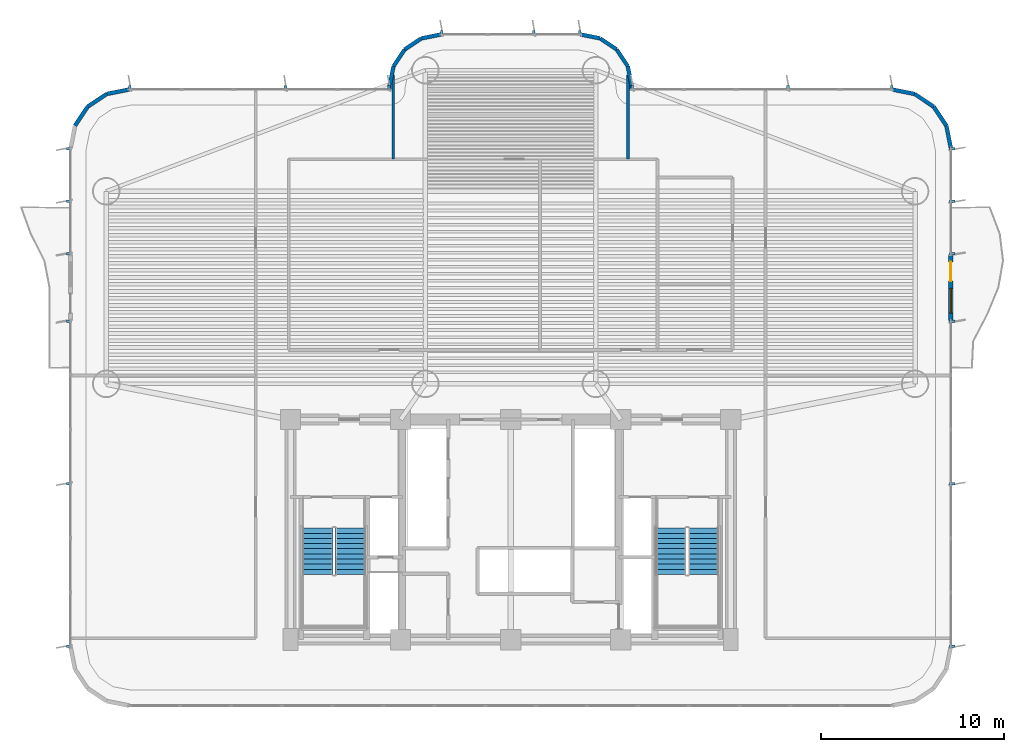
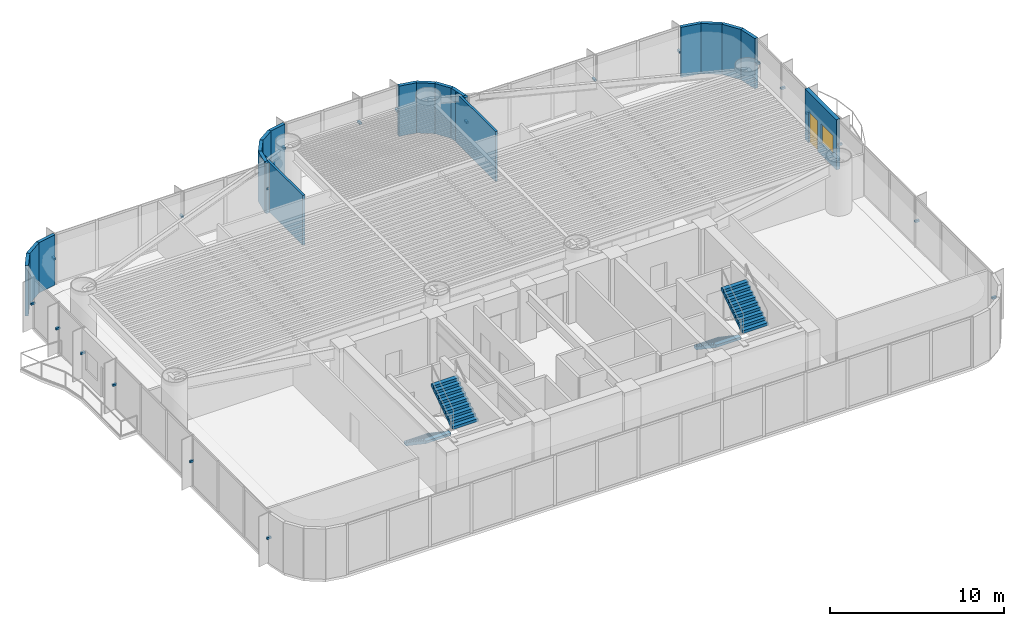
# One storey, part 12 of 16: 21 discrete accessories, 20 walls, 4 stair flights, 1 door, 1 window, 2 openings, 2 elements without a shape of their own.
"""IFC4 building model written with IfcOpenShell, lengths in metres."""

from ifc_helpers import new_model, si_unit, direction, frame, frame_2d, origin, origin_2d, place, context, subcontext, project, spatial, polyline, rectangle, outline, extrude, source, transform, mapped, material, layer, layer_set, type_object, element, fill, aggregate, save


model = new_model("IFC4")

# Units and contexts
model_context = context("Model", 3, precision=1e-05, world=origin(), true_north=direction((0.0, 1.0)))
body_context = subcontext(model_context, "Body", "Model", "MODEL_VIEW")
ifc_project = project(units=[si_unit("LENGTHUNIT", "METRE"), si_unit("AREAUNIT", "SQUARE_METRE"), si_unit("VOLUMEUNIT", "CUBIC_METRE"), si_unit("PLANEANGLEUNIT", "RADIAN"), si_unit("MASSUNIT", "GRAM", prefix="KILO")], contexts=[model_context])

# Site, building, storey
site_placement = place(None, origin())
site = spatial("IfcSite", under=ifc_project, at=site_placement, CompositionType="ELEMENT")
building_placement = place(site_placement, origin())
building = spatial("IfcBuilding", under=site, at=building_placement, Name="Brelvock Crest Care Tower", CompositionType="ELEMENT")
storey_placement = place(building_placement, frame((0.0, 0.0, 61.02001953125)))
storey = spatial("IfcBuildingStorey", under=building, at=storey_placement, Name="L15", CompositionType="ELEMENT", Elevation=61.02001953125)

# Wall, openings, door, window
ifc_material_1 = material(Name="Precast concrete N40 (40 MPa)", Category="concrete")
ifc_layer_1 = layer(ifc_material_1, 0.239990234375, Name="WL-EX1")
ifc_layer_set_1 = layer_set([ifc_layer_1], Name="Precast concrete N40 (40 MPa)")
wall_type_1 = type_object("IfcWallType", Name="WL-EX1", PredefinedType="SOLIDWALL", material=ifc_layer_set_1)
wall_1_placement = place(storey_placement, frame((60.0, 27.0, 0.0), z_axis=(0.0, 0.0, 1.0), x_axis=(0.0, -1.0, 0.0)))
wall_1 = element("IfcWall", 1, at=wall_1_placement, inside=storey, type_object=wall_type_1, Name="L15 Exterior Spandrel Wall WL-BAL-L15-E", PredefinedType="SOLIDWALL", context=body_context, shape_type="SweptSolid", body=[
    extrude(rectangle(XDim=3.60009765625, YDim=0.239990234375, at=frame_2d((1.800048828125, 0.0))), origin(), (0.0, 0.0, 1.0), 3.530029296875),
])
opening_1_placement = place(wall_1_placement, frame((0.39990234375, 0.0, 0.0)))
opening_1 = element("IfcOpeningElement", 2, at=opening_1_placement, cuts=wall_1, Name="Opening BD-1", PredefinedType="OPENING", context=body_context, shape_type="SweptSolid", body=[
    extrude(rectangle(XDim=1.050048828125, YDim=2.14990234375, at=origin_2d()), frame((0.52490234375, 0.1298828125, 1.074951171875), z_axis=(0.0, -1.0, 0.0), x_axis=(1.0, 0.0, 0.0)), (0.0, 0.0, 1.0), 0.260009765625),
])
opening_2_placement = place(wall_1_placement, frame((1.85009765625, 0.0, 0.85009765625)))
opening_2 = element("IfcOpeningElement", 3, at=opening_2_placement, cuts=wall_1, Name="Opening W-01", PredefinedType="OPENING", context=body_context, shape_type="SweptSolid", body=[
    extrude(rectangle(XDim=1.35009765625, YDim=1.35009765625, at=origin_2d()), frame((0.675048828125, 0.1298828125, 0.675048828125), z_axis=(0.0, -1.0, 0.0), x_axis=(1.0, 0.0, 0.0)), (0.0, 0.0, 1.0), 0.260009765625),
])
ifc_material_2 = material(Name="Dark Glass Double Glazed Low-E", Category="glass")
door_type = type_object("IfcDoorType", Name="DR-BAL1", OperationType="NOTDEFINED", PredefinedType="DOOR", material=ifc_material_2)
shared_shape_1 = source(origin(), body_context, "Body", "SweptSolid", [
    extrude(rectangle(XDim=1.050048828125, YDim=2.14990234375, at=origin_2d()), frame((0.52490234375, 0.02490234375, 1.074951171875), z_axis=(0.0, -1.0, 0.0), x_axis=(1.0, 0.0, 0.0)), (0.0, 0.0, 1.0), 0.050048828125),
])
door_placement = place(opening_1_placement, origin())
door = element("IfcDoor", 4, at=door_placement, inside=storey, type_object=door_type, Name="L15 E Wave Balcony Glazed Door", OperationType="SINGLE_SWING_RIGHT", OverallHeight=2.14990234375, OverallWidth=1.050048828125, PredefinedType="DOOR", context=body_context, shape_type="MappedRepresentation", body=[
    mapped(shared_shape_1, transform((0.0, 0.0, 0.0), x_axis=(1.0, 0.0, 0.0), y_axis=(0.0, 1.0, 0.0), z_axis=(0.0, 0.0, 1.0), scale=1.0)),
])
fill(opening_1, door)
window_type = type_object("IfcWindowType", Name="WN-EX1", PartitioningType="SINGLE_PANEL", PredefinedType="WINDOW", material=ifc_material_2)
shared_shape_2 = source(origin(), body_context, "Body", "SweptSolid", [
    extrude(rectangle(XDim=1.35009765625, YDim=1.35009765625, at=origin_2d()), frame((0.675048828125, 0.030029296875, 0.675048828125), z_axis=(0.0, -1.0, 0.0), x_axis=(1.0, 0.0, 0.0)), (0.0, 0.0, 1.0), 0.06005859375),
])
window_placement = place(opening_2_placement, origin())
window = element("IfcWindow", 5, at=window_placement, inside=storey, type_object=window_type, Name="L15 E Suite Casement Window", OverallHeight=1.35009765625, OverallWidth=1.35009765625, PartitioningType="SINGLE_PANEL", PredefinedType="WINDOW", context=body_context, shape_type="MappedRepresentation", body=[
    mapped(shared_shape_2, transform((0.0, 0.0, 0.0), x_axis=(1.0, 0.0, 0.0), y_axis=(0.0, 1.0, 0.0), z_axis=(0.0, 0.0, 1.0), scale=1.0)),
])
fill(opening_2, window)

# Walls
ifc_layer_2 = layer(ifc_material_1, 0.215087890625, Name="WL-EX2")
ifc_layer_set_2 = layer_set([ifc_layer_2], Name="Precast concrete N40 (40 MPa)")
wall_type_2 = type_object("IfcWallType", Name="WL-EX2", PredefinedType="SOLIDWALL", material=ifc_layer_set_2)
for number, where, z_axis, x_axis, name in (
    (6, (58.024658203125, 35.75634765625, 0.0), (0.0, 0.0, 1.0), (0.831478245117, -0.555557312883, 0.0), "L15 Rounded Corner Wall 00"),
    (7, (59.062744140625, 35.062744140625, 0.0), (0.0, 0.0, 1.0), (0.555557312883, -0.831478245117, 0.0), "L15 Rounded Corner Wall 01"),
    (8, (59.75634765625, 34.024658203125, 0.0), (0.0, 0.0, 1.0), (0.195138390419, -0.980775717779, 0.0), "L15 Rounded Corner Wall 02"),
    (9, (12.24365234375, 34.024658203125, 0.0), (0.0, 0.0, 1.0), (0.555557312883, 0.831478245117, 0.0), "L15 Rounded Corner Wall 15"),
    (10, (12.937255859375, 35.062744140625, 0.0), (0.0, 0.0, 1.0), (0.831478245117, 0.555557312883, 0.0), "L15 Rounded Corner Wall 16"),
    (11, (13.975341796875, 35.75634765625, 0.0), (0.0, 0.0, 1.0), (0.980775717779, 0.195138390419, 0.0), "L15 Rounded Corner Wall 17"),
):
    element("IfcWall", number, at=place(storey_placement, frame(where, z_axis=z_axis, x_axis=x_axis)), inside=storey, type_object=wall_type_2, Name=name, PredefinedType="SOLIDWALL", context=body_context, shape_type="SweptSolid", body=[
        extrude(rectangle(XDim=1.24853515625, YDim=0.215087890625, at=frame_2d((0.624267578125, 0.0))), origin(), (0.0, 0.0, 1.0), 3.530029296875),
    ])
wall_2_placement = place(storey_placement, frame((29.39990234375, 36.0, 0.0), z_axis=(0.0, 0.0, 1.0), x_axis=(0.0, 1.0, 0.0)))
element("IfcWall", 12, at=wall_2_placement, inside=storey, type_object=wall_type_2, Name="L15 Rounded Corner Wall 19", PredefinedType="SOLIDWALL", context=body_context, shape_type="SweptSolid", body=[
    extrude(rectangle(XDim=0.199951171875, YDim=0.215087890625, at=frame_2d((0.10009765625, 0.0))), origin(), (0.0, 0.0, 1.0), 3.530029296875),
])
wall_3_placement = place(storey_placement, frame((29.39990234375, 36.199951171875, 0.0), z_axis=(0.0, 0.0, 1.0), x_axis=(0.195084651288, 0.980786408364, 0.0)))
element("IfcWall", 13, at=wall_3_placement, inside=storey, type_object=wall_type_2, Name="L15 Rounded Corner Wall 20", PredefinedType="SOLIDWALL", context=body_context, shape_type="SweptSolid", body=[
    extrude(rectangle(XDim=1.092529296875, YDim=0.215087890625, at=frame_2d((0.54638671875, 0.0))), origin(), (0.0, 0.0, 1.0), 3.530029296875),
])
wall_4_placement = place(storey_placement, frame((29.613037109375, 37.271484375, 0.0), z_axis=(0.0, 0.0, 1.0), x_axis=(0.555679482341, 0.831396603857, 0.0)))
element("IfcWall", 14, at=wall_4_placement, inside=storey, type_object=wall_type_2, Name="L15 Rounded Corner Wall 21", PredefinedType="SOLIDWALL", context=body_context, shape_type="SweptSolid", body=[
    extrude(rectangle(XDim=1.0927734375, YDim=0.215087890625, at=frame_2d((0.54638671875, 0.0))), origin(), (0.0, 0.0, 1.0), 3.530029296875),
])
wall_5_placement = place(storey_placement, frame((30.22021484375, 38.179931640625, 0.0), z_axis=(0.0, 0.0, 1.0), x_axis=(0.831430845238, 0.555628247651, 0.0)))
element("IfcWall", 15, at=wall_5_placement, inside=storey, type_object=wall_type_2, Name="L15 Rounded Corner Wall 22", PredefinedType="SOLIDWALL", context=body_context, shape_type="SweptSolid", body=[
    extrude(rectangle(XDim=1.09228515625, YDim=0.215087890625, at=frame_2d((0.546142578125, 0.0))), origin(), (0.0, 0.0, 1.0), 3.530029296875),
])
for number, where, z_axis, x_axis, name in (
    (16, (31.12841796875, 38.786865234375, 0.0), (0.0, 0.0, 1.0), (0.980786408364, 0.195084651288, 0.0), "L15 Rounded Corner Wall 23"),
    (17, (39.800048828125, 39.0, 0.0), (0.0, 0.0, 1.0), (0.980786408364, -0.195084651288, 0.0), "L15 Rounded Corner Wall 25"),
):
    element("IfcWall", number, at=place(storey_placement, frame(where, z_axis=z_axis, x_axis=x_axis)), inside=storey, type_object=wall_type_2, Name=name, PredefinedType="SOLIDWALL", context=body_context, shape_type="SweptSolid", body=[
        extrude(rectangle(XDim=1.092529296875, YDim=0.215087890625, at=frame_2d((0.54638671875, 0.0))), origin(), (0.0, 0.0, 1.0), 3.530029296875),
    ])
wall_6_placement = place(storey_placement, frame((40.87158203125, 38.786865234375, 0.0), z_axis=(0.0, 0.0, 1.0), x_axis=(0.831430845238, -0.555628247651, 0.0)))
element("IfcWall", 18, at=wall_6_placement, inside=storey, type_object=wall_type_2, Name="L15 Rounded Corner Wall 26", PredefinedType="SOLIDWALL", context=body_context, shape_type="SweptSolid", body=[
    extrude(rectangle(XDim=1.09228515625, YDim=0.215087890625, at=frame_2d((0.546142578125, 0.0))), origin(), (0.0, 0.0, 1.0), 3.530029296875),
])
wall_7_placement = place(storey_placement, frame((41.77978515625, 38.179931640625, 0.0), z_axis=(0.0, 0.0, 1.0), x_axis=(0.555679482341, -0.831396603857, 0.0)))
element("IfcWall", 19, at=wall_7_placement, inside=storey, type_object=wall_type_2, Name="L15 Rounded Corner Wall 27", PredefinedType="SOLIDWALL", context=body_context, shape_type="SweptSolid", body=[
    extrude(rectangle(XDim=1.0927734375, YDim=0.215087890625, at=frame_2d((0.54638671875, 0.0))), origin(), (0.0, 0.0, 1.0), 3.530029296875),
])
wall_8_placement = place(storey_placement, frame((42.386962890625, 37.271484375, 0.0), z_axis=(0.0, 0.0, 1.0), x_axis=(0.195084651288, -0.980786408364, 0.0)))
element("IfcWall", 20, at=wall_8_placement, inside=storey, type_object=wall_type_2, Name="L15 Rounded Corner Wall 28", PredefinedType="SOLIDWALL", context=body_context, shape_type="SweptSolid", body=[
    extrude(rectangle(XDim=1.092529296875, YDim=0.215087890625, at=frame_2d((0.54638671875, 0.0))), origin(), (0.0, 0.0, 1.0), 3.530029296875),
])
wall_9_placement = place(storey_placement, frame((42.60009765625, 36.199951171875, 0.0), z_axis=(0.0, 0.0, 1.0), x_axis=(0.0, -1.0, 0.0)))
element("IfcWall", 21, at=wall_9_placement, inside=storey, type_object=wall_type_2, Name="L15 Rounded Corner Wall 29", PredefinedType="SOLIDWALL", context=body_context, shape_type="SweptSolid", body=[
    extrude(rectangle(XDim=0.199951171875, YDim=0.215087890625, at=frame_2d((0.10009765625, 0.0))), origin(), (0.0, 0.0, 1.0), 3.530029296875),
])
wall_10_placement = place(storey_placement, frame((56.800048828125, 36.0, 0.0), z_axis=(0.0, 0.0, 1.0), x_axis=(0.980775717779, -0.195138390419, 0.0)))
element("IfcWall", 22, at=wall_10_placement, inside=storey, type_object=wall_type_2, Name="L15 Rounded Corner Wall 31", PredefinedType="SOLIDWALL", context=body_context, shape_type="SweptSolid", body=[
    extrude(rectangle(XDim=1.24853515625, YDim=0.215087890625, at=frame_2d((0.624267578125, 0.0))), origin(), (0.0, 0.0, 1.0), 3.530029296875),
])
ifc_material_3 = material(Name="Masonry Blockwork Acoustic Partition", Category="masonry")
ifc_layer_3 = layer(ifc_material_3, 0.14990234375, Name="WL-INT1")
ifc_layer_set_3 = layer_set([ifc_layer_3], Name="Masonry Blockwork Acoustic Partition")
wall_type_3 = type_object("IfcWallType", Name="WL-INT1", PredefinedType="PARTITIONING", material=ifc_layer_set_3)
for number, where, z_axis, x_axis, name in (
    (23, (29.60009765625, 32.199951171875, 0.0), (0.0, 0.0, 1.0), (0.0, 1.0, 0.0), "L15 Interior Wall WL-BX-L15-NHUB-W"),
    (24, (42.39990234375, 32.199951171875, 0.0), (0.0, 0.0, 1.0), (0.0, 1.0, 0.0), "L15 Interior Wall WL-BX-L15-NHUB-E"),
):
    element("IfcWall", number, at=place(storey_placement, frame(where, z_axis=z_axis, x_axis=x_axis)), inside=storey, type_object=wall_type_3, Name=name, PredefinedType="PARTITIONING", context=body_context, shape_type="SweptSolid", body=[
        extrude(rectangle(XDim=4.595458984375, YDim=0.14990234375, at=frame_2d((2.2978515625, 0.0))), origin(), (0.0, 0.0, 1.0), 3.5),
    ])

# Stair, stair flights
ifc_material_4 = material(Name="Concrete N40 (40 MPa)", Category="concrete")
stair_type = type_object("IfcStairType", Name="ST-CORE1", PredefinedType="HALF_TURN_STAIR", material=ifc_material_4)
stair_1_placement = place(storey_placement, origin())
stair_1 = element("IfcStair", 25, at=stair_1_placement, inside=storey, type_object=stair_type, Name="L15 Fire-Isolated Core Stair ST-1", PredefinedType="HALF_TURN_STAIR")
stair_flight_type = type_object("IfcStairFlightType", Name="STF-1", PredefinedType="STRAIGHT", material=ifc_material_4)
stair_flight_1_placement = place(storey_placement, frame((25.469970703125, 12.080078125, 0.0), z_axis=(0.0, 0.0, 1.0), x_axis=(0.0, -1.0, 0.0)))
stair_flight_1 = element("IfcStairFlight", 26, at=stair_flight_1_placement, type_object=stair_flight_type, Name="ST-1 flight 1", NumberOfRisers=10, NumberOfTreads=9, PredefinedType="STRAIGHT", RiserHeight=0.189, TreadLength=0.28, context=body_context, shape_type="SweptSolid", body=[
    extrude(outline(polyline([(-0.00390625, -0.014892578125), (-0.00390625, -0.0078125), (-0.00390625, -0.00048828125), (-0.00390625, 0.0068359375), (-0.00390625, 0.01416015625), (-0.00390625, 0.021484375), (-0.00390625, 0.02880859375), (-0.00390625, 0.035888671875), (-0.00390625, 0.043212890625), (-0.00390625, 0.050537109375), (-0.00390625, 0.057861328125), (-0.00390625, 0.065185546875), (-0.00390625, 0.072509765625), (-0.00390625, 0.07958984375), (-0.00390625, 0.0869140625), (-0.00390625, 0.09423828125), (-0.00390625, 0.1015625), (-0.00390625, 0.10888671875), (-0.00390625, 0.1162109375), (-0.00390625, 0.12353515625), (-0.00390625, 0.130615234375), (-0.00390625, 0.137939453125), (-0.00390625, 0.145263671875), (-0.00390625, 0.152587890625), (-0.00390625, 0.159912109375), (-0.00390625, 0.167236328125), (-0.00390625, 0.17431640625), (-0.00390625, 0.181640625), (-0.00390625, 0.18896484375), (0.0, 0.18896484375), (0.280029296875, 0.18896484375), (0.280029296875, 0.3779296875), (0.56005859375, 0.3779296875), (0.56005859375, 0.56689453125), (0.840087890625, 0.56689453125), (0.840087890625, 0.756103515625), (1.1201171875, 0.756103515625), (1.1201171875, 0.945068359375), (1.39990234375, 0.945068359375), (1.39990234375, 1.134033203125), (1.679931640625, 1.134033203125), (1.679931640625, 1.322998046875), (1.9599609375, 1.322998046875), (1.9599609375, 1.511962890625), (2.239990234375, 1.511962890625), (2.239990234375, 1.700927734375), (2.52001953125, 1.700927734375), (2.52392578125, 1.700927734375), (2.523681640625, 1.70068359375), (2.52392578125, 1.700439453125), (2.523681640625, 1.699951171875), (2.52392578125, 1.69970703125), (2.523681640625, 1.699462890625), (2.52392578125, 1.698974609375), (2.523681640625, 1.69873046875), (2.52392578125, 1.698486328125), (2.523681640625, 1.697998046875), (2.52392578125, 1.69775390625), (2.523681640625, 1.697509765625), (2.52392578125, 1.697021484375), (2.523681640625, 1.69677734375), (2.52392578125, 1.696533203125), (2.523681640625, 1.6962890625), (2.52392578125, 1.69580078125), (2.523681640625, 1.695556640625), (2.52392578125, 1.6953125), (2.523681640625, 1.69482421875), (2.52392578125, 1.694580078125), (2.523681640625, 1.6943359375), (2.52392578125, 1.69384765625), (2.523681640625, 1.693603515625), (2.52392578125, 1.693359375), (2.523681640625, 1.69287109375), (2.52392578125, 1.692626953125), (2.523681640625, 1.6923828125), (2.52392578125, 1.69189453125), (2.52001953125, 1.520263671875), (0.267822265625, 0.0), (0.0, 0.0), (0.0, -0.014892578125), (-0.00390625, -0.014892578125)])), frame((0.0, 0.83984375, 0.0), z_axis=(0.0, -1.0, 0.0), x_axis=(1.0, 0.0, 0.0)), (0.0, 0.0, 1.0), 1.679931640625),
])
stair_flight_2_placement = place(storey_placement, frame((27.27001953125, 9.56005859375, 1.889892578125), z_axis=(0.0, 0.0, 1.0), x_axis=(0.0, 1.0, 0.0)))
stair_flight_2 = element("IfcStairFlight", 27, at=stair_flight_2_placement, type_object=stair_flight_type, Name="ST-1 flight 2", NumberOfRisers=10, NumberOfTreads=9, PredefinedType="STRAIGHT", RiserHeight=0.189, TreadLength=0.28, context=body_context, shape_type="SweptSolid", body=[
    extrude(outline(polyline([(-0.00390625, -0.014892578125), (-0.00390625, -0.0078125), (-0.00390625, -0.00048828125), (-0.00390625, 0.0068359375), (-0.00390625, 0.01416015625), (-0.00390625, 0.021484375), (-0.00390625, 0.02880859375), (-0.00390625, 0.035888671875), (-0.00390625, 0.043212890625), (-0.00390625, 0.050537109375), (-0.00390625, 0.057861328125), (-0.00390625, 0.065185546875), (-0.00390625, 0.072509765625), (-0.00390625, 0.07958984375), (-0.00390625, 0.0869140625), (-0.00390625, 0.09423828125), (-0.00390625, 0.1015625), (-0.00390625, 0.10888671875), (-0.00390625, 0.1162109375), (-0.00390625, 0.12353515625), (-0.00390625, 0.130615234375), (-0.00390625, 0.137939453125), (-0.00390625, 0.145263671875), (-0.00390625, 0.152587890625), (-0.00390625, 0.159912109375), (-0.00390625, 0.167236328125), (-0.00390625, 0.17431640625), (-0.00390625, 0.181640625), (-0.00390625, 0.18896484375), (0.0, 0.18896484375), (0.280029296875, 0.18896484375), (0.280029296875, 0.3779296875), (0.56005859375, 0.3779296875), (0.56005859375, 0.56689453125), (0.840087890625, 0.56689453125), (0.840087890625, 0.756103515625), (1.1201171875, 0.756103515625), (1.1201171875, 0.945068359375), (1.39990234375, 0.945068359375), (1.39990234375, 1.134033203125), (1.679931640625, 1.134033203125), (1.679931640625, 1.322998046875), (1.9599609375, 1.322998046875), (1.9599609375, 1.511962890625), (2.239990234375, 1.511962890625), (2.239990234375, 1.700927734375), (2.52001953125, 1.700927734375), (2.52392578125, 1.700927734375), (2.523681640625, 1.70068359375), (2.52392578125, 1.700439453125), (2.523681640625, 1.699951171875), (2.52392578125, 1.69970703125), (2.523681640625, 1.699462890625), (2.52392578125, 1.698974609375), (2.523681640625, 1.69873046875), (2.52392578125, 1.698486328125), (2.523681640625, 1.697998046875), (2.52392578125, 1.69775390625), (2.523681640625, 1.697509765625), (2.52392578125, 1.697021484375), (2.523681640625, 1.69677734375), (2.52392578125, 1.696533203125), (2.523681640625, 1.6962890625), (2.52392578125, 1.69580078125), (2.523681640625, 1.695556640625), (2.52392578125, 1.6953125), (2.523681640625, 1.69482421875), (2.52392578125, 1.694580078125), (2.523681640625, 1.6943359375), (2.52392578125, 1.69384765625), (2.523681640625, 1.693603515625), (2.52392578125, 1.693359375), (2.523681640625, 1.69287109375), (2.52392578125, 1.692626953125), (2.523681640625, 1.6923828125), (2.52392578125, 1.69189453125), (2.52001953125, 1.520263671875), (0.267822265625, 0.0), (0.0, 0.0), (0.0, -0.014892578125), (-0.00390625, -0.014892578125)])), frame((0.0, 0.83984375, 0.0), z_axis=(0.0, -1.0, 0.0), x_axis=(1.0, 0.0, 0.0)), (0.0, 0.0, 1.0), 1.679931640625),
])
aggregate(stair_1, [stair_flight_1, stair_flight_2])

stair_2_placement = place(storey_placement, origin())
stair_2 = element("IfcStair", 28, at=stair_2_placement, inside=storey, type_object=stair_type, Name="L15 Fire-Isolated Core Stair ST-2", PredefinedType="HALF_TURN_STAIR")
stair_flight_3_placement = place(storey_placement, frame((44.72998046875, 12.080078125, 0.0), z_axis=(0.0, 0.0, 1.0), x_axis=(0.0, -1.0, 0.0)))
stair_flight_3 = element("IfcStairFlight", 29, at=stair_flight_3_placement, type_object=stair_flight_type, Name="ST-2 flight 1", NumberOfRisers=10, NumberOfTreads=9, PredefinedType="STRAIGHT", RiserHeight=0.189, TreadLength=0.28, context=body_context, shape_type="SweptSolid", body=[
    extrude(outline(polyline([(-0.00390625, -0.014892578125), (-0.00390625, -0.0078125), (-0.00390625, -0.00048828125), (-0.00390625, 0.0068359375), (-0.00390625, 0.01416015625), (-0.00390625, 0.021484375), (-0.00390625, 0.02880859375), (-0.00390625, 0.035888671875), (-0.00390625, 0.043212890625), (-0.00390625, 0.050537109375), (-0.00390625, 0.057861328125), (-0.00390625, 0.065185546875), (-0.00390625, 0.072509765625), (-0.00390625, 0.07958984375), (-0.00390625, 0.0869140625), (-0.00390625, 0.09423828125), (-0.00390625, 0.1015625), (-0.00390625, 0.10888671875), (-0.00390625, 0.1162109375), (-0.00390625, 0.12353515625), (-0.00390625, 0.130615234375), (-0.00390625, 0.137939453125), (-0.00390625, 0.145263671875), (-0.00390625, 0.152587890625), (-0.00390625, 0.159912109375), (-0.00390625, 0.167236328125), (-0.00390625, 0.17431640625), (-0.00390625, 0.181640625), (-0.00390625, 0.18896484375), (0.0, 0.18896484375), (0.280029296875, 0.18896484375), (0.280029296875, 0.3779296875), (0.56005859375, 0.3779296875), (0.56005859375, 0.56689453125), (0.840087890625, 0.56689453125), (0.840087890625, 0.756103515625), (1.1201171875, 0.756103515625), (1.1201171875, 0.945068359375), (1.39990234375, 0.945068359375), (1.39990234375, 1.134033203125), (1.679931640625, 1.134033203125), (1.679931640625, 1.322998046875), (1.9599609375, 1.322998046875), (1.9599609375, 1.511962890625), (2.239990234375, 1.511962890625), (2.239990234375, 1.700927734375), (2.52001953125, 1.700927734375), (2.52392578125, 1.700927734375), (2.523681640625, 1.70068359375), (2.52392578125, 1.700439453125), (2.523681640625, 1.699951171875), (2.52392578125, 1.69970703125), (2.523681640625, 1.699462890625), (2.52392578125, 1.698974609375), (2.523681640625, 1.69873046875), (2.52392578125, 1.698486328125), (2.523681640625, 1.697998046875), (2.52392578125, 1.69775390625), (2.523681640625, 1.697509765625), (2.52392578125, 1.697021484375), (2.523681640625, 1.69677734375), (2.52392578125, 1.696533203125), (2.523681640625, 1.6962890625), (2.52392578125, 1.69580078125), (2.523681640625, 1.695556640625), (2.52392578125, 1.6953125), (2.523681640625, 1.69482421875), (2.52392578125, 1.694580078125), (2.523681640625, 1.6943359375), (2.52392578125, 1.69384765625), (2.523681640625, 1.693603515625), (2.52392578125, 1.693359375), (2.523681640625, 1.69287109375), (2.52392578125, 1.692626953125), (2.523681640625, 1.6923828125), (2.52392578125, 1.69189453125), (2.52001953125, 1.520263671875), (0.267822265625, 0.0), (0.0, 0.0), (0.0, -0.014892578125), (-0.00390625, -0.014892578125)])), frame((0.0, 0.83984375, 0.0), z_axis=(0.0, -1.0, 0.0), x_axis=(1.0, 0.0, 0.0)), (0.0, 0.0, 1.0), 1.679931640625),
])
stair_flight_4_placement = place(storey_placement, frame((46.530029296875, 9.56005859375, 1.889892578125), z_axis=(0.0, 0.0, 1.0), x_axis=(0.0, 1.0, 0.0)))
stair_flight_4 = element("IfcStairFlight", 30, at=stair_flight_4_placement, type_object=stair_flight_type, Name="ST-2 flight 2", NumberOfRisers=10, NumberOfTreads=9, PredefinedType="STRAIGHT", RiserHeight=0.189, TreadLength=0.28, context=body_context, shape_type="SweptSolid", body=[
    extrude(outline(polyline([(-0.00390625, -0.014892578125), (-0.00390625, -0.0078125), (-0.00390625, -0.00048828125), (-0.00390625, 0.0068359375), (-0.00390625, 0.01416015625), (-0.00390625, 0.021484375), (-0.00390625, 0.02880859375), (-0.00390625, 0.035888671875), (-0.00390625, 0.043212890625), (-0.00390625, 0.050537109375), (-0.00390625, 0.057861328125), (-0.00390625, 0.065185546875), (-0.00390625, 0.072509765625), (-0.00390625, 0.07958984375), (-0.00390625, 0.0869140625), (-0.00390625, 0.09423828125), (-0.00390625, 0.1015625), (-0.00390625, 0.10888671875), (-0.00390625, 0.1162109375), (-0.00390625, 0.12353515625), (-0.00390625, 0.130615234375), (-0.00390625, 0.137939453125), (-0.00390625, 0.145263671875), (-0.00390625, 0.152587890625), (-0.00390625, 0.159912109375), (-0.00390625, 0.167236328125), (-0.00390625, 0.17431640625), (-0.00390625, 0.181640625), (-0.00390625, 0.18896484375), (0.0, 0.18896484375), (0.280029296875, 0.18896484375), (0.280029296875, 0.3779296875), (0.56005859375, 0.3779296875), (0.56005859375, 0.56689453125), (0.840087890625, 0.56689453125), (0.840087890625, 0.756103515625), (1.1201171875, 0.756103515625), (1.1201171875, 0.945068359375), (1.39990234375, 0.945068359375), (1.39990234375, 1.134033203125), (1.679931640625, 1.134033203125), (1.679931640625, 1.322998046875), (1.9599609375, 1.322998046875), (1.9599609375, 1.511962890625), (2.239990234375, 1.511962890625), (2.239990234375, 1.700927734375), (2.52001953125, 1.700927734375), (2.52392578125, 1.700927734375), (2.523681640625, 1.70068359375), (2.52392578125, 1.700439453125), (2.523681640625, 1.699951171875), (2.52392578125, 1.69970703125), (2.523681640625, 1.699462890625), (2.52392578125, 1.698974609375), (2.523681640625, 1.69873046875), (2.52392578125, 1.698486328125), (2.523681640625, 1.697998046875), (2.52392578125, 1.69775390625), (2.523681640625, 1.697509765625), (2.52392578125, 1.697021484375), (2.523681640625, 1.69677734375), (2.52392578125, 1.696533203125), (2.523681640625, 1.6962890625), (2.52392578125, 1.69580078125), (2.523681640625, 1.695556640625), (2.52392578125, 1.6953125), (2.523681640625, 1.69482421875), (2.52392578125, 1.694580078125), (2.523681640625, 1.6943359375), (2.52392578125, 1.69384765625), (2.523681640625, 1.693603515625), (2.52392578125, 1.693359375), (2.523681640625, 1.69287109375), (2.52392578125, 1.692626953125), (2.523681640625, 1.6923828125), (2.52392578125, 1.69189453125), (2.52001953125, 1.520263671875), (0.267822265625, 0.0), (0.0, 0.0), (0.0, -0.014892578125), (-0.00390625, -0.014892578125)])), frame((0.0, 0.83984375, 0.0), z_axis=(0.0, -1.0, 0.0), x_axis=(1.0, 0.0, 0.0)), (0.0, 0.0, 1.0), 1.679931640625),
])
aggregate(stair_2, [stair_flight_3, stair_flight_4])

# Discrete accessories
ifc_material_5 = material(Name="Steel Grade 350", Category="steel")
discrete_accessory_type = type_object("IfcDiscreteAccessoryType", Name="ACC-BRK1", PredefinedType="BRACKET", material=ifc_material_5)
shared_shape_3 = source(origin(), body_context, "Body", "SweptSolid", [
    extrude(rectangle(XDim=0.280029296875, YDim=0.139892578125, at=origin_2d()), origin(), (0.0, 0.0, 1.0), 0.139892578125),
])
for number, where, z_axis, x_axis, name in (
    (31, (60.080078125, 32.767578125, 1.69482421875), (0.0, 0.0, 1.0), (1.0, 0.0, 0.0), "L15 Facade Fin Bracket E03A-01"),
    (32, (60.080078125, 29.89990234375, 1.69482421875), (0.0, 0.0, 1.0), (1.0, 0.0, 0.0), "L15 Facade Fin Bracket E03A-02"),
    (33, (60.080078125, 27.032470703125, 1.69482421875), (0.0, 0.0, 1.0), (1.0, 0.0, 0.0), "L15 Facade Fin Bracket E03A-03"),
    (34, (60.080078125, 23.367431640625, 1.69482421875), (0.0, 0.0, 1.0), (1.0, 0.0, 0.0), "L15 Facade Fin Bracket E03B-01"),
    (35, (60.080078125, 14.5, 1.69482421875), (0.0, 0.0, 1.0), (1.0, 0.0, 0.0), "L15 Facade Fin Bracket E03B-04"),
    (36, (60.080078125, 5.632568359375, 1.69482421875), (0.0, 0.0, 1.0), (1.0, 0.0, 0.0), "L15 Facade Fin Bracket E03B-07"),
    (37, (11.919921875, 5.632568359375, 1.69482421875), (0.0, 0.0, 1.0), (-1.0, 0.0, 0.0), "L15 Facade Fin Bracket E13A-01"),
    (38, (11.919921875, 14.5, 1.69482421875), (0.0, 0.0, 1.0), (-1.0, 0.0, 0.0), "L15 Facade Fin Bracket E13A-04"),
    (39, (11.919921875, 23.367431640625, 1.69482421875), (0.0, 0.0, 1.0), (-1.0, 0.0, 0.0), "L15 Facade Fin Bracket E13A-07"),
    (40, (11.919921875, 27.032470703125, 1.69482421875), (0.0, 0.0, 1.0), (-1.0, 0.0, 0.0), "L15 Facade Fin Bracket E13B-01"),
    (41, (11.919921875, 29.89990234375, 1.69482421875), (0.0, 0.0, 1.0), (-1.0, 0.0, 0.0), "L15 Facade Fin Bracket E13B-02"),
    (42, (11.919921875, 32.767578125, 1.69482421875), (0.0, 0.0, 1.0), (-1.0, 0.0, 0.0), "L15 Facade Fin Bracket E13B-03"),
    (43, (15.232421875, 36.080078125, 1.69482421875), (0.0, 0.0, 1.0), (0.0, 1.0, 0.0), "L15 Facade Fin Bracket E18-01"),
    (44, (23.719970703125, 36.080078125, 1.69482421875), (0.0, 0.0, 1.0), (0.0, 1.0, 0.0), "L15 Facade Fin Bracket E18-04"),
    (45, (29.367431640625, 36.080078125, 1.69482421875), (0.0, 0.0, 1.0), (0.0, 1.0, 0.0), "L15 Facade Fin Bracket E18-06"),
    (46, (32.232421875, 39.080078125, 1.69482421875), (0.0, 0.0, 1.0), (0.0, 1.0, 0.0), "L15 Facade Fin Bracket E24-01"),
    (47, (37.2666015625, 39.080078125, 1.69482421875), (0.0, 0.0, 1.0), (0.0, 1.0, 0.0), "L15 Facade Fin Bracket E24-03"),
    (48, (39.767578125, 39.080078125, 1.69482421875), (0.0, 0.0, 1.0), (0.0, 1.0, 0.0), "L15 Facade Fin Bracket E24-04"),
    (49, (42.632568359375, 36.080078125, 1.69482421875), (0.0, 0.0, 1.0), (0.0, 1.0, 0.0), "L15 Facade Fin Bracket E30-01"),
    (50, (51.1201171875, 36.080078125, 1.69482421875), (0.0, 0.0, 1.0), (0.0, 1.0, 0.0), "L15 Facade Fin Bracket E30-04"),
    (51, (56.767578125, 36.080078125, 1.69482421875), (0.0, 0.0, 1.0), (0.0, 1.0, 0.0), "L15 Facade Fin Bracket E30-06"),
):
    element("IfcDiscreteAccessory", number, at=place(storey_placement, frame(where, z_axis=z_axis, x_axis=x_axis)), inside=storey, type_object=discrete_accessory_type, Name=name, PredefinedType="BRACKET", context=body_context, shape_type="MappedRepresentation", body=[
        mapped(shared_shape_3, transform((0.0, 0.0, 0.0), x_axis=(1.0, 0.0, 0.0), y_axis=(0.0, 1.0, 0.0), z_axis=(0.0, 0.0, 1.0), scale=1.0)),
    ])

save(model, "model.ifc")
